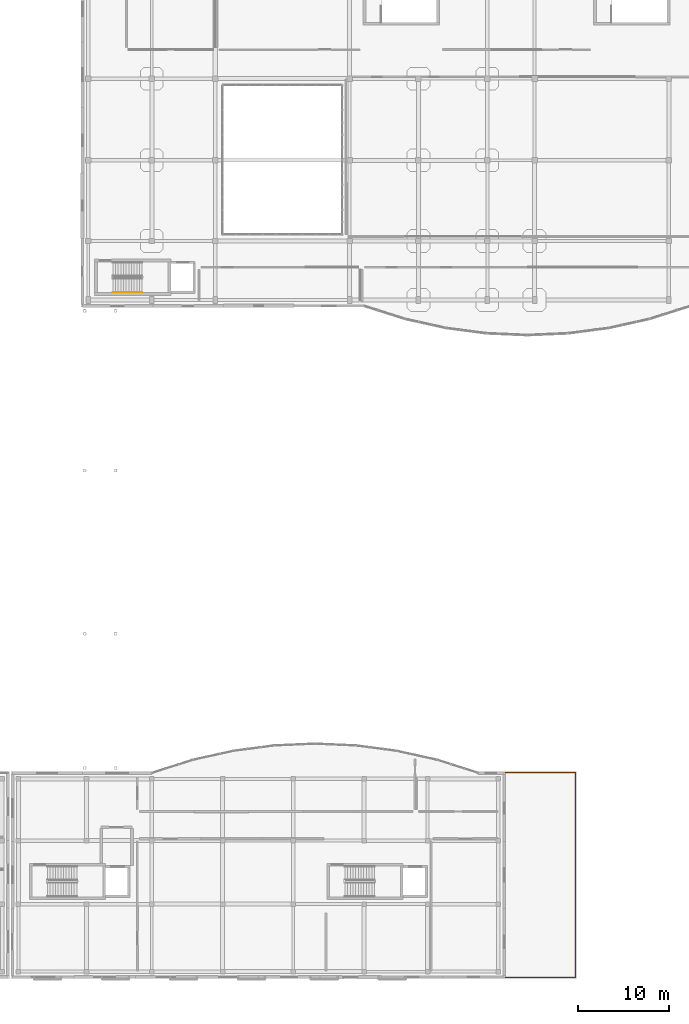
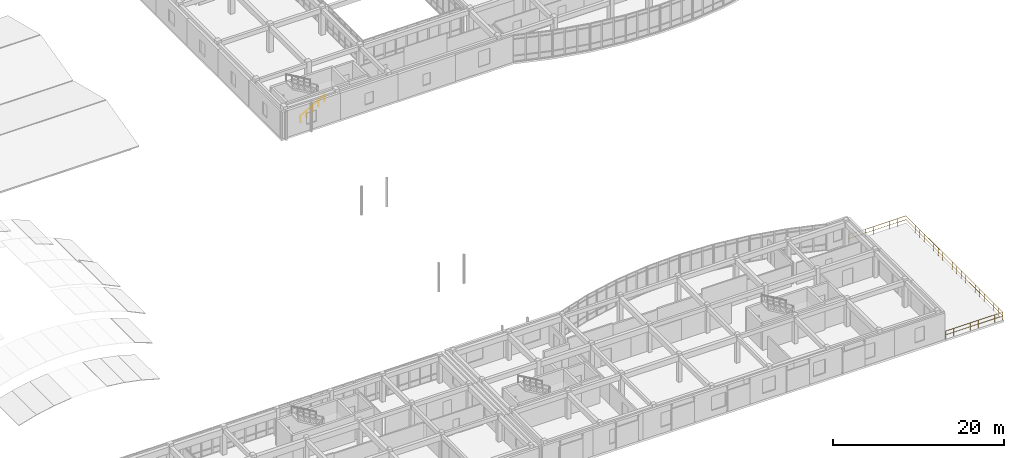
# One storey, part 89 of 91: 2 railings.
"""IFC4 building model written with IfcOpenShell, lengths in metres."""

import ifcopenshell
import ifcopenshell.guid

model = None  # the IFC model being written
_history = None  # IfcOwnerHistory: only IFC2X3 demands one
_inside = {}  # id of a spatial element -> (the spatial element, [elements in it])
_under = {}  # id of a project, library or spatial element -> (it, [spatial elements below it])
_declared = {}  # id of a project -> (the project, [libraries it declares])
_typed = {}  # id of a type object -> (the type object, [elements of that type])
_made_of = {}  # id of a material, layer set ... -> (it, [elements and type objects made of it])


def new_model(schema):
    """Start an empty IFC model of exactly this schema.

    Asked for "IFC4X3", IfcOpenShell would pick the latest addendum, in which some entities
    have other attributes; the version numbers below select the first issue.
    IFC2X3 requires an IfcOwnerHistory on every rooted entity: one is made here for all.
    """
    global model, _history
    if schema == "IFC4X3":
        model = ifcopenshell.file(schema_version=(4, 3, 0, 0))
    else:
        model = ifcopenshell.file(schema=schema)
    _inside.clear()
    _under.clear()
    _declared.clear()
    _typed.clear()
    _made_of.clear()
    _history = None
    if model.schema == "IFC2X3":
        org = make("IfcOrganization", Name="unknown")
        user = make(
            "IfcPersonAndOrganization",
            ThePerson=make("IfcPerson", FamilyName="unknown"),
            TheOrganization=org,
        )
        app = make(
            "IfcApplication",
            ApplicationDeveloper=org,
            Version="unknown",
            ApplicationFullName="unknown",
            ApplicationIdentifier="unknown",
        )
        _history = make(
            "IfcOwnerHistory",
            OwningUser=user,
            OwningApplication=app,
            ChangeAction="ADDED",
            CreationDate=0,
        )
    return model


def make(cls, **values):
    """One entity of the class cls with the attributes given. An attribute that is None is left unset."""
    return model.create_entity(
        cls, **{name: value for name, value in values.items() if value is not None}
    )


def rooted(cls, **values):
    """An entity with a GlobalId (a new one), such as an element, a storey or a relation."""
    return make(cls, GlobalId=ifcopenshell.guid.new(), OwnerHistory=_history, **values)


def si_unit(unit_type, name, prefix=None):
    """IfcSIUnit, for example si_unit("LENGTHUNIT", "METRE", prefix="MILLI")."""
    return make("IfcSIUnit", UnitType=unit_type, Prefix=prefix, Name=name)


def assignment(units):
    """IfcUnitAssignment: the units of a project."""
    return None if units is None else make("IfcUnitAssignment", Units=units)


def point(xyz):
    """IfcCartesianPoint."""
    return None if xyz is None else make("IfcCartesianPoint", Coordinates=xyz)


def direction(xyz):
    """IfcDirection."""
    return None if xyz is None else make("IfcDirection", DirectionRatios=xyz)


def frame(location, z_axis=None, x_axis=None):
    """IfcAxis2Placement3D, a coordinate frame: its origin and axes. An axis left out is left unset."""
    return make(
        "IfcAxis2Placement3D",
        Location=point(location),
        Axis=direction(z_axis),
        RefDirection=direction(x_axis),
    )


def frame_2d(location, x_axis=None):
    """IfcAxis2Placement2D, a coordinate frame in the plane: its origin and x axis."""
    return make(
        "IfcAxis2Placement2D", Location=point(location), RefDirection=direction(x_axis)
    )


def origin():
    """The frame at (0, 0, 0) with its axes left unset."""
    return frame((0.0, 0.0, 0.0))


def origin_2d():
    """The frame at (0, 0) in the plane with its x axis left unset."""
    return frame_2d((0.0, 0.0))


def place(relative_to, where):
    """IfcLocalPlacement: puts the frame where relative to a parent placement (None: the world)."""
    return make(
        "IfcLocalPlacement", PlacementRelTo=relative_to, RelativePlacement=where
    )


def context(
    kind, dimensions, precision=None, world=None, true_north=None, identifier=None
):
    """IfcGeometricRepresentationContext, for example the 3D "Model" context."""
    return make(
        "IfcGeometricRepresentationContext",
        ContextIdentifier=identifier,
        ContextType=kind,
        CoordinateSpaceDimension=dimensions,
        Precision=precision,
        WorldCoordinateSystem=world,
        TrueNorth=true_north,
    )


def subcontext(parent, identifier, kind, view, scale=None):
    """IfcGeometricRepresentationSubContext, for example "Body" below "Model"."""
    return make(
        "IfcGeometricRepresentationSubContext",
        ContextIdentifier=identifier,
        ContextType=kind,
        ParentContext=parent,
        TargetScale=scale,
        TargetView=view,
    )


def project(units=None, contexts=None):
    """IfcProject with its units and contexts."""
    return rooted(
        "IfcProject",
        Name="project",
        RepresentationContexts=contexts,
        UnitsInContext=assignment(units),
    )


def spatial(cls, under=None, at=None, **own):
    """A site, building, storey or space (cls), placed at a placement, below another one or the project."""
    s = rooted(cls, ObjectPlacement=at, **own)
    if under is not None:
        _under.setdefault(under.id(), (under, []))[1].append(s)
    return s


def profile(cls, at=None, kind="AREA", **sizes):
    """A parametric profile (cls). Its sizes go by their IFC names, for example OverallWidth=200.0."""
    return make(cls, ProfileType=kind, Position=at, **sizes)


def circle(**sizes):
    """IfcCircleProfileDef."""
    return profile("IfcCircleProfileDef", **sizes)


def extrude(swept, where, along, depth):
    """IfcExtrudedAreaSolid: the profile swept, set in the frame where, extruded along a direction by depth."""
    return make(
        "IfcExtrudedAreaSolid",
        SweptArea=swept,
        Position=where,
        ExtrudedDirection=direction(along),
        Depth=depth,
    )


def shape(context_of_items, identifier, shape_type, items):
    """IfcShapeRepresentation: the items that make up one representation, for example the "Body"."""
    return make(
        "IfcShapeRepresentation",
        ContextOfItems=context_of_items,
        RepresentationIdentifier=identifier,
        RepresentationType=shape_type,
        Items=items,
    )


def material(Name=None, Category=None):
    """IfcMaterial."""
    return make("IfcMaterial", Name=Name, Category=Category)


def made_of(thing, what):
    """Note that an element or type object is made of a material, layer set ...; save() writes the relation."""
    if what is not None:
        _made_of.setdefault(what.id(), (what, []))[1].append(thing)
    return thing


def type_object(cls, material=None, **own):
    """A type object (cls), such as IfcWallType, which elements share."""
    return made_of(rooted(cls, **own), material)


def element(
    cls,
    number,
    at=None,
    inside=None,
    cuts=None,
    type_object=None,
    material=None,
    context=None,
    identifier="Body",
    shape_type=None,
    held_by="IfcProductDefinitionShape",
    body=None,
    shapes=None,
    **own,
):
    """One element of the class cls, such as IfcWall. Its Tag is "e" and its number.

    at: its placement. inside: the storey or other place that contains it. cuts: it is an
    opening in that element (IfcRelVoidsElement). A single representation is given by context,
    identifier, shape_type and body (its items); several are given by shapes. held_by: the class
    of the entity that holds the representations. save() writes the other relations.
    """
    e = rooted(cls, Tag="e%d" % number, ObjectPlacement=at, **own)
    if body is not None:
        shapes = [shape(context, identifier, shape_type, body)]
    if shapes is not None:
        e.Representation = make(held_by, Representations=shapes)
    if inside is not None:
        _inside.setdefault(inside.id(), (inside, []))[1].append(e)
    if cuts is not None:
        rooted(
            "IfcRelVoidsElement", RelatingBuildingElement=cuts, RelatedOpeningElement=e
        )
    if type_object is not None:
        _typed.setdefault(type_object.id(), (type_object, []))[1].append(e)
    return made_of(e, material)


def aggregate(whole, parts):
    """IfcRelAggregates: a whole, such as a stair, and the parts it consists of."""
    return rooted("IfcRelAggregates", RelatingObject=whole, RelatedObjects=parts)


def save(model, path):
    """Write the relations noted so far, then the file.

    IfcRelAggregates (storeys below a building ...), IfcRelContainedInSpatialStructure (elements
    in a storey), IfcRelDefinesByType, IfcRelAssociatesMaterial and IfcRelDeclares: one each for
    every whole, place, type object, material and project.
    """
    for whole, parts in _under.values():
        aggregate(whole, parts)
    for where, things in _inside.values():
        rooted(
            "IfcRelContainedInSpatialStructure",
            RelatedElements=things,
            RelatingStructure=where,
        )
    for kind, things in _typed.values():
        rooted("IfcRelDefinesByType", RelatedObjects=things, RelatingType=kind)
    for what, things in _made_of.values():
        rooted("IfcRelAssociatesMaterial", RelatedObjects=things, RelatingMaterial=what)
    for by, libraries in _declared.values():
        rooted("IfcRelDeclares", RelatingContext=by, RelatedDefinitions=libraries)
    model.write(path)


model = new_model("IFC4")

# Units and contexts
model_context = context("Model", 3, precision=1e-05, world=origin(), true_north=direction((0.0, 1.0)))
body_context = subcontext(model_context, "Body", "Model", "MODEL_VIEW")
ifc_project = project(units=[si_unit("LENGTHUNIT", "METRE"), si_unit("AREAUNIT", "SQUARE_METRE"), si_unit("VOLUMEUNIT", "CUBIC_METRE"), si_unit("PLANEANGLEUNIT", "RADIAN"), si_unit("MASSUNIT", "GRAM", prefix="KILO")], contexts=[model_context])

# Site, building, storey
site_placement = place(None, origin())
site = spatial("IfcSite", under=ifc_project, at=site_placement, CompositionType="ELEMENT")
building_placement = place(site_placement, origin())
building = spatial("IfcBuilding", under=site, at=building_placement, Name="Valcora Specialist Clinic", CompositionType="ELEMENT")
storey_placement = place(building_placement, frame((0.0, 0.0, 13.60009765625)))
storey = spatial("IfcBuildingStorey", under=building, at=storey_placement, Name="L03", CompositionType="ELEMENT", Elevation=13.60009765625)

# Railings
ifc_material = material(Name="Stainless Steel AISI 316", Category="steel")
railing_type_1 = type_object("IfcRailingType", Name="TY-RL-BAL112", PredefinedType="BALUSTRADE", material=ifc_material)
railing_1_placement = place(storey_placement, frame((108.0, 0.10009765625, 0.0)))
element("IfcRailing", 1, at=railing_1_placement, inside=storey, type_object=railing_type_1, Name="Perimeter terrace guard 1", PredefinedType="BALUSTRADE", context=body_context, shape_type="SweptSolid", body=[
    extrude(circle(Radius=0.02392578125, at=origin_2d()), frame((0.0, 0.0, 1.09619140625), z_axis=(1.0, 0.0, 0.0), x_axis=(0.0, 1.0, 0.0)), (0.0, 0.0, 1.0), 7.699951171875),
    extrude(circle(Radius=0.02392578125, at=origin_2d()), frame((0.0, 0.0, 0.56005859375), z_axis=(1.0, 0.0, 0.0), x_axis=(0.0, 1.0, 0.0)), (0.0, 0.0, 1.0), 7.699951171875),
    extrude(circle(Radius=0.02392578125, at=origin_2d()), frame((7.699951171875, 0.0, 1.09619140625), z_axis=(0.0, 1.0, 0.0), x_axis=(-1.0, 0.0, 0.0)), (0.0, 0.0, 1.0), 22.599853515625),
    extrude(circle(Radius=0.02392578125, at=origin_2d()), frame((7.699951171875, 0.0, 0.56005859375), z_axis=(0.0, 1.0, 0.0), x_axis=(-1.0, 0.0, 0.0)), (0.0, 0.0, 1.0), 22.599853515625),
    extrude(circle(Radius=0.02392578125, at=origin_2d()), frame((7.699951171875, 22.599853515625, 1.09619140625), z_axis=(-1.0, 0.0, 0.0), x_axis=(0.0, -1.0, 0.0)), (0.0, 0.0, 1.0), 7.699951171875),
    extrude(circle(Radius=0.02392578125, at=origin_2d()), frame((7.699951171875, 22.599853515625, 0.56005859375), z_axis=(-1.0, 0.0, 0.0), x_axis=(0.0, -1.0, 0.0)), (0.0, 0.0, 1.0), 7.699951171875),
    extrude(circle(Radius=0.02099609375, at=origin_2d()), origin(), (0.0, 0.0, 1.0), 1.072021484375),
    extrude(circle(Radius=0.02099609375, at=origin_2d()), frame((1.10009765625, 0.0, 0.0)), (0.0, 0.0, 1.0), 1.072021484375),
    extrude(circle(Radius=0.02099609375, at=origin_2d()), frame((2.199951171875, 0.0, 0.0)), (0.0, 0.0, 1.0), 1.072021484375),
    extrude(circle(Radius=0.02099609375, at=origin_2d()), frame((3.300048828125, 0.0, 0.0)), (0.0, 0.0, 1.0), 1.072021484375),
    extrude(circle(Radius=0.02099609375, at=origin_2d()), frame((4.39990234375, 0.0, 0.0)), (0.0, 0.0, 1.0), 1.072021484375),
    extrude(circle(Radius=0.02099609375, at=origin_2d()), frame((5.5, 0.0, 0.0)), (0.0, 0.0, 1.0), 1.072021484375),
    extrude(circle(Radius=0.02099609375, at=origin_2d()), frame((6.599853515625, 0.0, 0.0)), (0.0, 0.0, 1.0), 1.072021484375),
    extrude(circle(Radius=0.02099609375, at=origin_2d()), frame((7.699951171875, 0.0, 0.0)), (0.0, 0.0, 1.0), 1.072021484375),
    extrude(circle(Radius=0.02099609375, at=origin_2d()), frame((7.699951171875, 1.076171875, 0.0)), (0.0, 0.0, 1.0), 1.072021484375),
    extrude(circle(Radius=0.02099609375, at=origin_2d()), frame((7.699951171875, 2.15234375, 0.0)), (0.0, 0.0, 1.0), 1.072021484375),
    extrude(circle(Radius=0.02099609375, at=origin_2d()), frame((7.699951171875, 3.228515625, 0.0)), (0.0, 0.0, 1.0), 1.072021484375),
    extrude(circle(Radius=0.02099609375, at=origin_2d()), frame((7.699951171875, 4.3046875, 0.0)), (0.0, 0.0, 1.0), 1.072021484375),
    extrude(circle(Radius=0.02099609375, at=origin_2d()), frame((7.699951171875, 5.380859375, 0.0)), (0.0, 0.0, 1.0), 1.072021484375),
    extrude(circle(Radius=0.02099609375, at=origin_2d()), frame((7.699951171875, 6.45703125, 0.0)), (0.0, 0.0, 1.0), 1.072021484375),
    extrude(circle(Radius=0.02099609375, at=origin_2d()), frame((7.699951171875, 7.533203125, 0.0)), (0.0, 0.0, 1.0), 1.072021484375),
    extrude(circle(Radius=0.02099609375, at=origin_2d()), frame((7.699951171875, 8.609375, 0.0)), (0.0, 0.0, 1.0), 1.072021484375),
    extrude(circle(Radius=0.02099609375, at=origin_2d()), frame((7.699951171875, 9.685546875, 0.0)), (0.0, 0.0, 1.0), 1.072021484375),
    extrude(circle(Radius=0.02099609375, at=origin_2d()), frame((7.699951171875, 10.76171875, 0.0)), (0.0, 0.0, 1.0), 1.072021484375),
    extrude(circle(Radius=0.02099609375, at=origin_2d()), frame((7.699951171875, 11.838134765625, 0.0)), (0.0, 0.0, 1.0), 1.072021484375),
    extrude(circle(Radius=0.02099609375, at=origin_2d()), frame((7.699951171875, 12.914306640625, 0.0)), (0.0, 0.0, 1.0), 1.072021484375),
    extrude(circle(Radius=0.02099609375, at=origin_2d()), frame((7.699951171875, 13.990478515625, 0.0)), (0.0, 0.0, 1.0), 1.072021484375),
    extrude(circle(Radius=0.02099609375, at=origin_2d()), frame((7.699951171875, 15.066650390625, 0.0)), (0.0, 0.0, 1.0), 1.072021484375),
    extrude(circle(Radius=0.02099609375, at=origin_2d()), frame((7.699951171875, 16.142822265625, 0.0)), (0.0, 0.0, 1.0), 1.072021484375),
    extrude(circle(Radius=0.02099609375, at=origin_2d()), frame((7.699951171875, 17.218994140625, 0.0)), (0.0, 0.0, 1.0), 1.072021484375),
    extrude(circle(Radius=0.02099609375, at=origin_2d()), frame((7.699951171875, 18.295166015625, 0.0)), (0.0, 0.0, 1.0), 1.072021484375),
    extrude(circle(Radius=0.02099609375, at=origin_2d()), frame((7.699951171875, 19.371337890625, 0.0)), (0.0, 0.0, 1.0), 1.072021484375),
    extrude(circle(Radius=0.02099609375, at=origin_2d()), frame((7.699951171875, 20.447509765625, 0.0)), (0.0, 0.0, 1.0), 1.072021484375),
    extrude(circle(Radius=0.02099609375, at=origin_2d()), frame((7.699951171875, 21.523681640625, 0.0)), (0.0, 0.0, 1.0), 1.072021484375),
    extrude(circle(Radius=0.02099609375, at=origin_2d()), frame((7.699951171875, 22.599853515625, 0.0)), (0.0, 0.0, 1.0), 1.072021484375),
    extrude(circle(Radius=0.02099609375, at=origin_2d()), frame((6.599853515625, 22.599853515625, 0.0)), (0.0, 0.0, 1.0), 1.072021484375),
    extrude(circle(Radius=0.02099609375, at=origin_2d()), frame((5.5, 22.599853515625, 0.0)), (0.0, 0.0, 1.0), 1.072021484375),
    extrude(circle(Radius=0.02099609375, at=origin_2d()), frame((4.39990234375, 22.599853515625, 0.0)), (0.0, 0.0, 1.0), 1.072021484375),
    extrude(circle(Radius=0.02099609375, at=origin_2d()), frame((3.300048828125, 22.599853515625, 0.0)), (0.0, 0.0, 1.0), 1.072021484375),
    extrude(circle(Radius=0.02099609375, at=origin_2d()), frame((2.199951171875, 22.599853515625, 0.0)), (0.0, 0.0, 1.0), 1.072021484375),
    extrude(circle(Radius=0.02099609375, at=origin_2d()), frame((1.10009765625, 22.599853515625, 0.0)), (0.0, 0.0, 1.0), 1.072021484375),
    extrude(circle(Radius=0.02099609375, at=origin_2d()), frame((0.0, 22.599853515625, 0.0)), (0.0, 0.0, 1.0), 1.072021484375),
])
railing_type_2 = type_object("IfcRailingType", Name="TY-RL-HND092", PredefinedType="HANDRAIL", material=ifc_material)
railing_2_placement = place(storey_placement, frame((64.699951171875, 75.64990234375, 0.169921875)))
element("IfcRailing", 2, at=railing_2_placement, inside=storey, type_object=railing_type_2, Name="L03 ST-V4A stair handrail 1", PredefinedType="HANDRAIL", context=body_context, shape_type="SweptSolid", body=[
    extrude(circle(Radius=0.02392578125, at=origin_2d()), frame((0.0, 0.0, 0.89599609375), z_axis=(0.866452428451, 0.0, 0.4992596411), x_axis=(0.0, 1.0, 0.0)), (0.0, 0.0, 1.0), 3.745361328125),
    extrude(circle(Radius=0.02099609375, at=origin_2d()), origin(), (0.0, 0.0, 1.0), 0.871826171875),
    extrude(circle(Radius=0.02099609375, at=origin_2d()), frame((0.811279296875, 0.0, 0.467529296875)), (0.0, 0.0, 1.0), 0.871826171875),
    extrude(circle(Radius=0.02099609375, at=origin_2d()), frame((1.62255859375, 0.0, 0.93505859375)), (0.0, 0.0, 1.0), 0.871826171875),
    extrude(circle(Radius=0.02099609375, at=origin_2d()), frame((2.433837890625, 0.0, 1.40234375)), (0.0, 0.0, 1.0), 0.871826171875),
    extrude(circle(Radius=0.02099609375, at=origin_2d()), frame((3.2451171875, 0.0, 1.869873046875)), (0.0, 0.0, 1.0), 0.871826171875),
])

save(model, "model.ifc")
